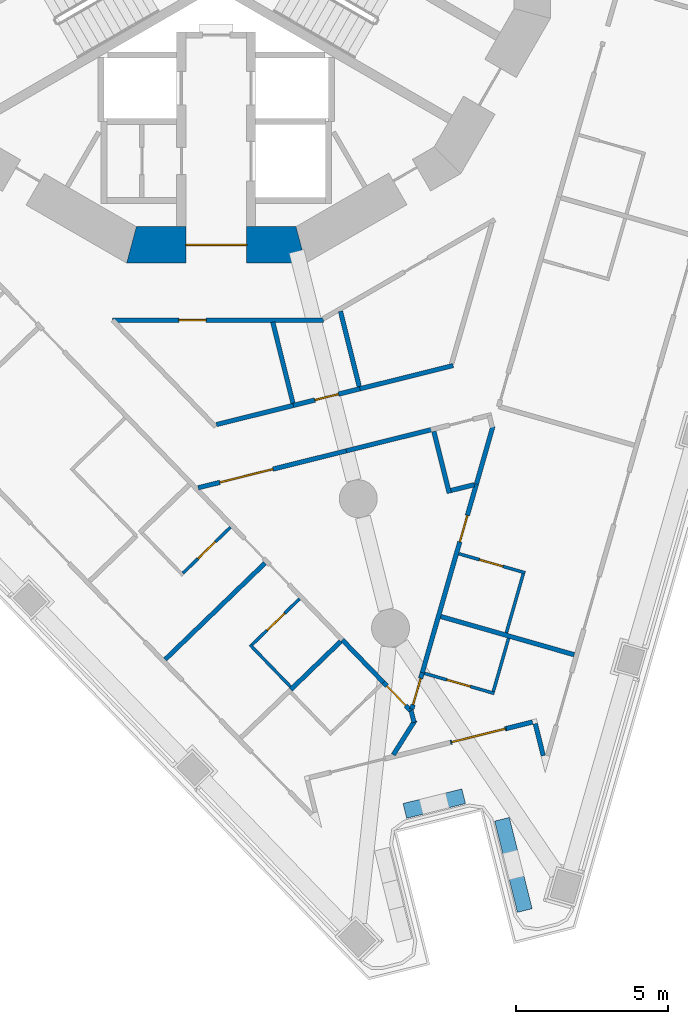
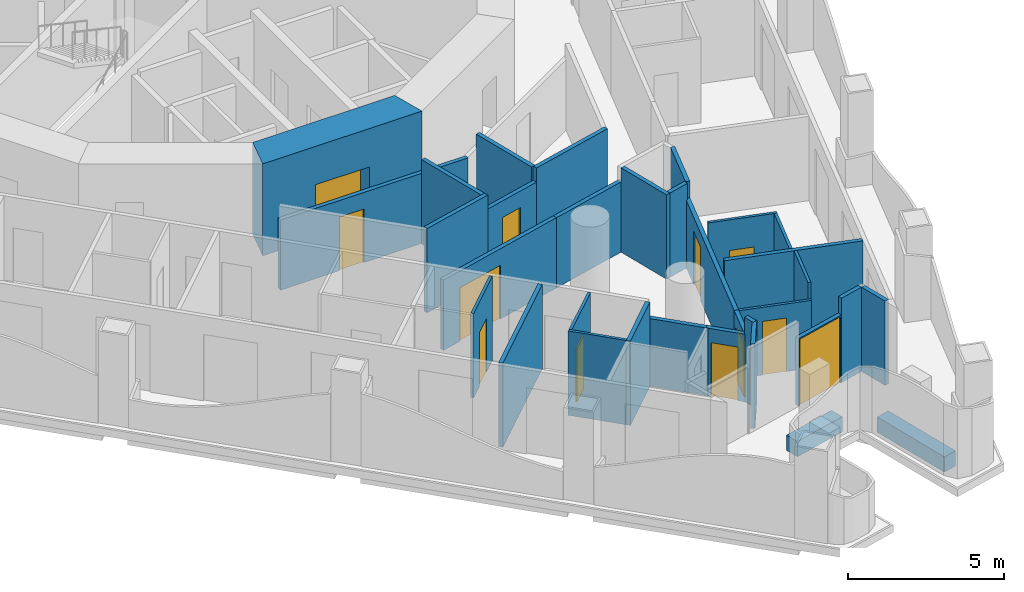
# One storey, part 4 of 20: 33 walls, 12 doors, 12 openings.
"""IFC4 building model written with IfcOpenShell, lengths in metres."""

from ifc_helpers import new_model, si_unit, direction, frame, frame_2d, origin, place, context, subcontext, project, spatial, polyline, rectangle, outline, extrude, material, layer, layer_set, type_object, element, fill, save


model = new_model("IFC4")

# Units and contexts
model_context = context("Model", 3, precision=1e-05, world=origin(), true_north=direction((0.0, 1.0)))
body_context = subcontext(model_context, "Body", "Model", "MODEL_VIEW")
ifc_project = project(units=[si_unit("LENGTHUNIT", "METRE"), si_unit("AREAUNIT", "SQUARE_METRE"), si_unit("VOLUMEUNIT", "CUBIC_METRE"), si_unit("PLANEANGLEUNIT", "RADIAN"), si_unit("MASSUNIT", "GRAM", prefix="KILO")], contexts=[model_context])

# Site, building, storey
site_placement = place(None, origin())
site = spatial("IfcSite", under=ifc_project, at=site_placement, CompositionType="ELEMENT")
building_placement = place(site_placement, origin())
building = spatial("IfcBuilding", under=site, at=building_placement, Name="Trine Commons Tower", CompositionType="ELEMENT")
storey_placement = place(building_placement, frame((0.0, 0.0, 108.89990234375)))
storey = spatial("IfcBuildingStorey", under=building, at=storey_placement, Name="L27", CompositionType="ELEMENT", Elevation=108.89990234375)

# Walls
ifc_material_1 = material(Name="Aluminium-framed insulated wall panel", Category="aluminium")
ifc_layer_1 = layer(ifc_material_1, 0.14990234375)
ifc_layer_set_1 = layer_set([ifc_layer_1], Name="Aluminium-framed insulated wall panel")
wall_type_1 = type_object("IfcWallType", Name="Glazed frame wall 150, EI 60", PredefinedType="SOLIDWALL", material=ifc_layer_set_1)
wall_1_placement = place(storey_placement, frame((90.810302734375, 35.118896484375, 0.0), z_axis=(0.0, 0.0, 1.0), x_axis=(-0.241937701072, 0.970291785393, 0.0)))
element("IfcWall", 1, at=wall_1_placement, inside=storey, type_object=wall_type_1, Name="Glazed frame wall R9", PredefinedType="SOLIDWALL", context=body_context, shape_type="SweptSolid", body=[
    extrude(outline(polyline([(0.1494140625, 0.074951171875), (0.1494140625, -0.074951171875), (1.235107421875, -0.074951171875), (1.235107421875, 0.074951171875), (0.1494140625, 0.074951171875)])), origin(), (0.0, 0.0, 1.0), 3.300048828125),
])
wall_2_placement = place(storey_placement, frame((90.527099609375, 36.398681640625, 0.0), z_axis=(0.0, 0.0, 1.0), x_axis=(-0.970285952705, -0.24196109188, 0.0)))
element("IfcWall", 2, at=wall_2_placement, inside=storey, type_object=wall_type_1, Name="Glazed frame wall P3.1", PredefinedType="SOLIDWALL", context=body_context, shape_type="SweptSolid", body=[
    extrude(outline(polyline([(0.110107421875, -0.074951171875), (1.0, -0.074951171875), (1.0, 0.074951171875), (0.110107421875, 0.074951171875), (0.110107421875, -0.074951171875)])), origin(), (0.0, 0.0, 1.0), 3.300048828125),
])

# Wall, opening, door
wall_3_placement = place(storey_placement, frame((89.556884765625, 36.15673828125, 0.0), z_axis=(0.0, 0.0, 1.0), x_axis=(-0.970285945114, -0.241961122321, 0.0)))
wall_3 = element("IfcWall", 3, at=wall_3_placement, inside=storey, type_object=wall_type_1, Name="Glazed frame wall P3.2", PredefinedType="SOLIDWALL", context=body_context, shape_type="SweptSolid", body=[
    extrude(outline(polyline([(0.0, -0.074951171875), (1.89990234375, -0.074951171875), (1.89990234375, 0.074951171875), (0.0, 0.074951171875), (0.0, -0.074951171875)])), origin(), (0.0, 0.0, 1.0), 2.650146484375),
])
opening_1_placement = place(wall_3_placement, frame((0.050048828125, 0.0, 0.0)))
opening_1 = element("IfcOpeningElement", 4, at=opening_1_placement, cuts=wall_3, Name="Opening BD-3P3-01", PredefinedType="OPENING", context=body_context, shape_type="SweptSolid", body=[
    extrude(rectangle(XDim=1.800048828125, YDim=2.60009765625, at=frame_2d((0.89990234375, 1.300048828125))), frame((0.0, 0.0849609375, 0.0), z_axis=(0.0, -1.0, 0.0), x_axis=(1.0, 0.0, 0.0)), (0.0, 0.0, 1.0), 0.169921875),
])
ifc_material_2 = material(Name="Anodised aluminium frame with double glazing", Category="aluminium")
door_type_1 = type_object("IfcDoorType", Name="Sliding loggia door 1800x2600", OperationType="SLIDING_TO_LEFT", PredefinedType="DOOR", material=ifc_material_2)
door_1_placement = place(opening_1_placement, origin())
door_1 = element("IfcDoor", 5, at=door_1_placement, inside=storey, type_object=door_type_1, Name="Loggia door P3 1", OperationType="SLIDING_TO_LEFT", OverallHeight=2.60009765625, OverallWidth=1.800048828125, PredefinedType="DOOR", context=body_context, shape_type="SweptSolid", body=[
    extrude(rectangle(XDim=1.800048828125, YDim=2.60009765625, at=frame_2d((0.89990234375, 1.300048828125))), frame((0.0, 0.02490234375, 0.0), z_axis=(0.0, -1.0, 0.0), x_axis=(1.0, 0.0, 0.0)), (0.0, 0.0, 1.0), 0.050048828125),
])
fill(opening_1, door_1)

# Walls
ifc_material_3 = material(Name="Planter trough, precast concrete C40/50", Category="concrete")
ifc_layer_2 = layer(ifc_material_3, 0.5)
ifc_layer_set_2 = layer_set([ifc_layer_2], Name="Planter trough, precast concrete C40/50")
wall_type_2 = type_object("IfcWallType", Name="Planter trough 500x600", PredefinedType="PARAPET", material=ifc_layer_set_2)
wall_4_placement = place(storey_placement, frame((90.16552734375, 30.160888671875, 0.0), z_axis=(0.0, 0.0, 1.0), x_axis=(-0.2419425832, 0.970290568044, 0.0)))
element("IfcWall", 6, at=wall_4_placement, inside=storey, type_object=wall_type_2, Name="Planter 7", PredefinedType="PARAPET", context=body_context, shape_type="SweptSolid", body=[
    extrude(rectangle(XDim=3.099853515625, YDim=0.5, at=frame_2d((1.5498046875, 0.0))), origin(), (0.0, 0.0, 1.0), 0.60009765625),
])
wall_5_placement = place(storey_placement, frame((88.15478515625, 33.92626953125, 0.0), z_axis=(0.0, 0.0, 1.0), x_axis=(-0.970285952705, -0.24196109188, 0.0)))
element("IfcWall", 7, at=wall_5_placement, inside=storey, type_object=wall_type_2, Name="Planter 8", PredefinedType="PARAPET", context=body_context, shape_type="SweptSolid", body=[
    extrude(rectangle(XDim=1.999755859375, YDim=0.5, at=frame_2d((1.0, 0.0))), origin(), (0.0, 0.0, 1.0), 0.60009765625),
])

# Wall, opening, door
ifc_material_4 = material(Name="Concrete C70/85", Category="concrete")
ifc_layer_3 = layer(ifc_material_4, 1.199951171875)
ifc_layer_set_3 = layer_set([ifc_layer_3], Name="Concrete C70/85")
wall_type_3 = type_object("IfcWallType", Name="RC shear wall 1200 mm, C70/85", PredefinedType="SHEAR", material=ifc_layer_set_3)
wall_6_placement = place(storey_placement, frame((77.049560546875, 52.08837890625, 0.0), z_axis=(0.0, 0.0, 1.0), x_axis=(1.0, 0.0, 0.0)))
wall_6 = element("IfcWall", 8, at=wall_6_placement, inside=storey, type_object=wall_type_3, Name="Core wall CWC-10 L27", PredefinedType="SHEAR", context=body_context, shape_type="SweptSolid", body=[
    extrude(outline(polyline([(0.0, -0.60009765625), (5.90087890625, -0.60009765625), (5.57958984375, 0.60009765625), (0.321533203125, 0.60009765625), (0.0, -0.60009765625)])), origin(), (0.0, 0.0, 1.0), 3.60009765625),
])
opening_2_placement = place(wall_6_placement, frame((1.950439453125, 0.0, 0.0)))
opening_2 = element("IfcOpeningElement", 9, at=opening_2_placement, cuts=wall_6, Name="Opening K06.08", PredefinedType="OPENING", context=body_context, shape_type="SweptSolid", body=[
    extrude(rectangle(XDim=2.0, YDim=2.10009765625, at=frame_2d((1.0, 1.050048828125))), frame((0.0, 0.60986328125, 0.0), z_axis=(0.0, -1.0, 0.0), x_axis=(1.0, 0.0, 0.0)), (0.0, 0.0, 1.0), 1.219970703125),
])
ifc_material_5 = material(Name="Steel door leaves, fire-rated", Category="steel")
door_type_2 = type_object("IfcDoorType", Name="Lobby door, double leaf 2000 x 2100, FD60", OperationType="DOUBLE_DOOR_SINGLE_SWING", PredefinedType="DOOR", material=ifc_material_5)
door_2_placement = place(opening_2_placement, origin())
door_2 = element("IfcDoor", 10, at=door_2_placement, inside=storey, type_object=door_type_2, Name="Lobby door, Service and firefighting lobby L27", OperationType="DOUBLE_DOOR_SINGLE_SWING", OverallHeight=2.10009765625, OverallWidth=2.0, PredefinedType="DOOR", context=body_context, shape_type="SweptSolid", body=[
    extrude(rectangle(XDim=2.0, YDim=2.10009765625, at=frame_2d((1.0, 1.050048828125))), frame((0.0, 0.02490234375, 0.0), z_axis=(0.0, -1.0, 0.0), x_axis=(1.0, 0.0, 0.0)), (0.0, 0.0, 1.0), 0.050048828125),
])
fill(opening_2, door_2)

ifc_material_6 = material(Name="Gypsum plasterboard on steel stud", Category="steel")
ifc_layer_4 = layer(ifc_material_6, 0.14990234375)
ifc_layer_set_4 = layer_set([ifc_layer_4], Name="Gypsum plasterboard on steel stud")
wall_type_4 = type_object("IfcWallType", Name="Unit and corridor wall 150 mm, EI 60", PredefinedType="PARTITIONING", material=ifc_layer_set_4)
wall_7_placement = place(storey_placement, frame((76.583984375, 49.613037109375, 0.0), z_axis=(0.0, 0.0, 1.0), x_axis=(1.0, 0.0, 0.0)))
wall_7 = element("IfcWall", 11, at=wall_7_placement, inside=storey, type_object=wall_type_4, Name="Partition 060", PredefinedType="PARTITIONING", context=body_context, shape_type="SweptSolid", body=[
    extrude(rectangle(XDim=6.944091796875, YDim=0.14990234375, at=frame_2d((3.47216796875, 0.0))), origin(), (0.0, 0.0, 1.0), 2.75),
])
opening_3_placement = place(wall_7_placement, frame((2.18359375, 0.0, 0.0)))
opening_3 = element("IfcOpeningElement", 12, at=opening_3_placement, cuts=wall_7, Name="Opening D-3C38", PredefinedType="OPENING", context=body_context, shape_type="SweptSolid", body=[
    extrude(rectangle(XDim=0.89990234375, YDim=2.10009765625, at=frame_2d((0.449951171875, 1.050048828125))), frame((0.0, 0.0849609375, 0.0), z_axis=(0.0, -1.0, 0.0), x_axis=(1.0, 0.0, 0.0)), (0.0, 0.0, 1.0), 0.169921875),
])
ifc_material_7 = material(Name="Timber fire door set", Category="wood")
door_type_3 = type_object("IfcDoorType", Name="Service door 900 x 2100, FD30S", OperationType="NOTDEFINED", PredefinedType="DOOR", material=ifc_material_7)
door_3_placement = place(opening_3_placement, frame((0.89990234375, 0.0, 0.0), z_axis=(0.0, 0.0, 1.0), x_axis=(-1.0, 0.0, 0.0)))
door_3 = element("IfcDoor", 13, at=door_3_placement, inside=storey, type_object=door_type_3, Name="Door D-3C38", OperationType="SINGLE_SWING_RIGHT", OverallHeight=2.10009765625, OverallWidth=0.89990234375, PredefinedType="DOOR", context=body_context, shape_type="SweptSolid", body=[
    extrude(rectangle(XDim=0.89990234375, YDim=2.10009765625, at=frame_2d((0.449951171875, 1.050048828125))), frame((0.0, 0.02490234375, 0.0), z_axis=(0.0, -1.0, 0.0), x_axis=(1.0, 0.0, 0.0)), (0.0, 0.0, 1.0), 0.050048828125),
])
fill(opening_3, door_3)

# Wall
wall_8_placement = place(storey_placement, frame((78.31982421875, 38.430908203125, 0.0), z_axis=(0.0, 0.0, 1.0), x_axis=(0.719360056376, 0.694637394106, 0.0)))
element("IfcWall", 14, at=wall_8_placement, inside=storey, type_object=wall_type_4, Name="Partition 066", PredefinedType="PARTITIONING", context=body_context, shape_type="SweptSolid", body=[
    extrude(rectangle(XDim=4.572265625, YDim=0.14990234375, at=frame_2d((2.2861328125, 0.0))), origin(), (0.0, 0.0, 1.0), 3.300048828125),
])

# Wall, opening, door
wall_9_placement = place(storey_placement, frame((79.40869140625, 44.087158203125, 0.0), z_axis=(0.0, 0.0, 1.0), x_axis=(0.970285120957, 0.241964427241, 0.0)))
wall_9 = element("IfcWall", 15, at=wall_9_placement, inside=storey, type_object=wall_type_4, Name="Partition 069", PredefinedType="PARTITIONING", context=body_context, shape_type="SweptSolid", body=[
    extrude(rectangle(XDim=5.02880859375, YDim=0.14990234375, at=frame_2d((2.514404296875, 0.0))), origin(), (0.0, 0.0, 1.0), 2.75),
])
opening_4_placement = place(wall_9_placement, frame((0.735595703125, 0.0, 0.0)))
opening_4 = element("IfcOpeningElement", 16, at=opening_4_placement, cuts=wall_9, Name="Opening D-3C02", PredefinedType="OPENING", context=body_context, shape_type="SweptSolid", body=[
    extrude(rectangle(XDim=1.800048828125, YDim=2.10009765625, at=frame_2d((0.89990234375, 1.050048828125))), frame((0.0, 0.0849609375, 0.0), z_axis=(0.0, -1.0, 0.0), x_axis=(1.0, 0.0, 0.0)), (0.0, 0.0, 1.0), 0.169921875),
])
door_type_4 = type_object("IfcDoorType", Name="Cluster entrance door 1800 x 2100, double leaf, FD30S", OperationType="DOUBLE_DOOR_DOUBLE_SWING", PredefinedType="DOOR", material=ifc_material_7)
door_4_placement = place(opening_4_placement, frame((1.800048828125, 0.0, 0.0), z_axis=(0.0, 0.0, 1.0), x_axis=(-1.0, 0.0, 0.0)))
door_4 = element("IfcDoor", 17, at=door_4_placement, inside=storey, type_object=door_type_4, Name="Door D-3C02", OperationType="DOUBLE_DOOR_DOUBLE_SWING", OverallHeight=2.10009765625, OverallWidth=1.800048828125, PredefinedType="DOOR", context=body_context, shape_type="SweptSolid", body=[
    extrude(rectangle(XDim=1.800048828125, YDim=2.10009765625, at=frame_2d((0.89990234375, 1.050048828125))), frame((0.0, 0.02490234375, 0.0), z_axis=(0.0, -1.0, 0.0), x_axis=(1.0, 0.0, 0.0)), (0.0, 0.0, 1.0), 0.050048828125),
])
fill(opening_4, door_4)

# Walls
wall_10_placement = place(storey_placement, frame((80.005859375, 46.168212890625, 0.0), z_axis=(0.0, 0.0, 1.0), x_axis=(0.970307222534, 0.241875781957, 0.0)))
element("IfcWall", 18, at=wall_10_placement, inside=storey, type_object=wall_type_4, Name="Partition 070", PredefinedType="PARTITIONING", context=body_context, shape_type="SweptSolid", body=[
    extrude(rectangle(XDim=2.698974609375, YDim=0.14990234375, at=frame_2d((1.349609375, 0.0))), origin(), (0.0, 0.0, 1.0), 3.300048828125),
])
wall_11_placement = place(storey_placement, frame((81.864990234375, 49.540283203125, 0.0), z_axis=(0.0, 0.0, 1.0), x_axis=(0.24199191412, -0.970278266015, 0.0)))
element("IfcWall", 19, at=wall_11_placement, inside=storey, type_object=wall_type_4, Name="Partition 077", PredefinedType="PARTITIONING", context=body_context, shape_type="SweptSolid", body=[
    extrude(rectangle(XDim=2.7470703125, YDim=0.14990234375, at=frame_2d((1.37353515625, 0.0))), origin(), (0.0, 0.0, 1.0), 3.300048828125),
])
wall_12_placement = place(storey_placement, frame((82.4619140625, 37.4423828125, 0.0), z_axis=(0.0, 0.0, 1.0), x_axis=(0.719213164188, 0.694789482116, 0.0)))
element("IfcWall", 20, at=wall_12_placement, inside=storey, type_object=wall_type_4, Name="Partition 079", PredefinedType="PARTITIONING", context=body_context, shape_type="SweptSolid", body=[
    extrude(rectangle(XDim=2.279052734375, YDim=0.14990234375, at=frame_2d((1.1396484375, 0.0))), origin(), (0.0, 0.0, 1.0), 3.300048828125),
])

# Wall, opening, door
wall_13_placement = place(storey_placement, frame((82.5439453125, 46.801025390625, 0.0), z_axis=(0.0, 0.0, 1.0), x_axis=(0.970237811433, 0.242154061015, 0.0)))
wall_13 = element("IfcWall", 21, at=wall_13_placement, inside=storey, type_object=wall_type_4, Name="Partition 080", PredefinedType="PARTITIONING", context=body_context, shape_type="SweptSolid", body=[
    extrude(rectangle(XDim=2.25830078125, YDim=0.14990234375, at=frame_2d((1.129150390625, 0.0))), origin(), (0.0, 0.0, 1.0), 2.75),
])
opening_5_placement = place(wall_13_placement, frame((0.72900390625, 0.0, 0.0)))
opening_5 = element("IfcOpeningElement", 22, at=opening_5_placement, cuts=wall_13, Name="Opening D-3C41", PredefinedType="OPENING", context=body_context, shape_type="SweptSolid", body=[
    extrude(rectangle(XDim=0.800048828125, YDim=2.10009765625, at=frame_2d((0.39990234375, 1.050048828125))), frame((0.0, 0.0849609375, 0.0), z_axis=(0.0, -1.0, 0.0), x_axis=(1.0, 0.0, 0.0)), (0.0, 0.0, 1.0), 0.169921875),
])
ifc_material_8 = material(Name="Painted timber", Category="wood")
door_type_5 = type_object("IfcDoorType", Name="Toilet door 800 x 2100, NOT RATED", OperationType="NOTDEFINED", PredefinedType="DOOR", material=ifc_material_8)
door_5_placement = place(opening_5_placement, origin())
door_5 = element("IfcDoor", 23, at=door_5_placement, inside=storey, type_object=door_type_5, Name="Door D-3C41", OperationType="SINGLE_SWING_RIGHT", OverallHeight=2.10009765625, OverallWidth=0.800048828125, PredefinedType="DOOR", context=body_context, shape_type="SweptSolid", body=[
    extrude(rectangle(XDim=0.800048828125, YDim=2.10009765625, at=frame_2d((0.39990234375, 1.050048828125))), frame((0.0, 0.02490234375, 0.0), z_axis=(0.0, -1.0, 0.0), x_axis=(1.0, 0.0, 0.0)), (0.0, 0.0, 1.0), 0.050048828125),
])
fill(opening_5, door_5)

# Walls
wall_14_placement = place(storey_placement, frame((84.09521484375, 49.900146484375, 0.0), z_axis=(0.0, 0.0, 1.0), x_axis=(0.241659013466, -0.970361232331, 0.0)))
element("IfcWall", 24, at=wall_14_placement, inside=storey, type_object=wall_type_4, Name="Partition 086", PredefinedType="PARTITIONING", context=body_context, shape_type="SweptSolid", body=[
    extrude(rectangle(XDim=2.555908203125, YDim=0.14990234375, at=frame_2d((1.27783203125, 0.0))), origin(), (0.0, 0.0, 1.0), 3.300048828125),
])
wall_15_placement = place(storey_placement, frame((84.155029296875, 39.077880859375, 0.0), z_axis=(0.0, 0.0, 1.0), x_axis=(0.694942316006, -0.719065488967, 0.0)))
element("IfcWall", 25, at=wall_15_placement, inside=storey, type_object=wall_type_4, Name="Partition 088", PredefinedType="PARTITIONING", context=body_context, shape_type="SweptSolid", body=[
    extrude(rectangle(XDim=2.00390625, YDim=0.14990234375, at=frame_2d((1.001953125, 0.0))), origin(), (0.0, 0.0, 1.0), 2.650146484375),
])
wall_16_placement = place(storey_placement, frame((84.2880859375, 45.303955078125, 0.0), z_axis=(0.0, 0.0, 1.0), x_axis=(0.970312264522, 0.241855554658, 0.0)))
element("IfcWall", 26, at=wall_16_placement, inside=storey, type_object=wall_type_4, Name="Partition 089", PredefinedType="PARTITIONING", context=body_context, shape_type="SweptSolid", body=[
    extrude(rectangle(XDim=2.956787109375, YDim=0.14990234375, at=frame_2d((1.478515625, 0.0))), origin(), (0.0, 0.0, 1.0), 2.75),
])
wall_17_placement = place(storey_placement, frame((84.72705078125, 47.345947265625, 0.0), z_axis=(0.0, 0.0, 1.0), x_axis=(0.970300600618, 0.241902344841, 0.0)))
element("IfcWall", 27, at=wall_17_placement, inside=storey, type_object=wall_type_4, Name="Partition 090", PredefinedType="PARTITIONING", context=body_context, shape_type="SweptSolid", body=[
    extrude(rectangle(XDim=3.175048828125, YDim=0.14990234375, at=frame_2d((1.58740234375, 0.0))), origin(), (0.0, 0.0, 1.0), 3.300048828125),
])

# Wall, opening, door
wall_18_placement = place(storey_placement, frame((85.508056640625, 37.677978515625, 0.0), z_axis=(0.0, 0.0, 1.0), x_axis=(0.694528581719, -0.719465113244, 0.0)))
wall_18 = element("IfcWall", 28, at=wall_18_placement, inside=storey, type_object=wall_type_4, Name="Partition 091", PredefinedType="PARTITIONING", context=body_context, shape_type="SweptSolid", body=[
    extrude(rectangle(XDim=1.32177734375, YDim=0.14990234375, at=frame_2d((0.660888671875, 0.0))), origin(), (0.0, 0.0, 1.0), 2.650146484375),
])
opening_6_placement = place(wall_18_placement, frame((0.165283203125, 0.0, 0.0)))
opening_6 = element("IfcOpeningElement", 29, at=opening_6_placement, cuts=wall_18, Name="Opening D-3C25", PredefinedType="OPENING", context=body_context, shape_type="SweptSolid", body=[
    extrude(rectangle(XDim=0.89990234375, YDim=2.10009765625, at=frame_2d((0.449951171875, 1.050048828125))), frame((0.0, 0.0849609375, 0.0), z_axis=(0.0, -1.0, 0.0), x_axis=(1.0, 0.0, 0.0)), (0.0, 0.0, 1.0), 0.169921875),
])
door_type_6 = type_object("IfcDoorType", Name="Bedroom door 900 x 2100, FD30S", OperationType="NOTDEFINED", PredefinedType="DOOR", material=ifc_material_7)
door_6_placement = place(opening_6_placement, frame((0.89990234375, 0.0, 0.0), z_axis=(0.0, 0.0, 1.0), x_axis=(-1.0, 0.0, 0.0)))
door_6 = element("IfcDoor", 30, at=door_6_placement, inside=storey, type_object=door_type_6, Name="Door D-3C25", OperationType="SINGLE_SWING_RIGHT", OverallHeight=2.10009765625, OverallWidth=0.89990234375, PredefinedType="DOOR", context=body_context, shape_type="SweptSolid", body=[
    extrude(rectangle(XDim=0.89990234375, YDim=2.10009765625, at=frame_2d((0.449951171875, 1.050048828125))), frame((0.0, 0.02490234375, 0.0), z_axis=(0.0, -1.0, 0.0), x_axis=(1.0, 0.0, 0.0)), (0.0, 0.0, 1.0), 0.050048828125),
])
fill(opening_6, door_6)

# Walls
wall_19_placement = place(storey_placement, frame((85.83447265625, 35.290771484375, 0.0), z_axis=(0.0, 0.0, 1.0), x_axis=(0.533700369754, 0.845673645873, 0.0)))
element("IfcWall", 31, at=wall_19_placement, inside=storey, type_object=wall_type_4, Name="Partition 092", PredefinedType="PARTITIONING", context=body_context, shape_type="SweptSolid", body=[
    extrude(rectangle(XDim=1.349853515625, YDim=0.14990234375, at=frame_2d((0.6748046875, 0.0))), origin(), (0.0, 0.0, 1.0), 3.300048828125),
])
wall_20_placement = place(storey_placement, frame((86.422119140625, 36.7421875, 0.0), z_axis=(0.0, 0.0, 1.0), x_axis=(0.241673946692, -0.970357513234, 0.0)))
element("IfcWall", 32, at=wall_20_placement, inside=storey, type_object=wall_type_4, Name="Partition 093", PredefinedType="PARTITIONING", context=body_context, shape_type="SweptSolid", body=[
    extrude(rectangle(XDim=0.400146484375, YDim=0.14990234375, at=frame_2d((0.2001953125, 0.0))), origin(), (0.0, 0.0, 1.0), 3.300048828125),
])

# Wall, opening, door
wall_21_placement = place(storey_placement, frame((86.446533203125, 36.799072265625, 0.0), z_axis=(0.0, 0.0, 1.0), x_axis=(0.275419104485, 0.961324251689, 0.0)))
wall_21 = element("IfcWall", 33, at=wall_21_placement, inside=storey, type_object=wall_type_4, Name="Partition 094", PredefinedType="PARTITIONING", context=body_context, shape_type="SweptSolid", body=[
    extrude(rectangle(XDim=1.247314453125, YDim=0.14990234375, at=frame_2d((0.62353515625, 0.0))), origin(), (0.0, 0.0, 1.0), 2.650146484375),
])
opening_7_placement = place(wall_21_placement, frame((0.14990234375, 0.0, 0.0)))
opening_7 = element("IfcOpeningElement", 34, at=opening_7_placement, cuts=wall_21, Name="Opening D-3C24", PredefinedType="OPENING", context=body_context, shape_type="SweptSolid", body=[
    extrude(rectangle(XDim=0.89990234375, YDim=2.10009765625, at=frame_2d((0.449951171875, 1.050048828125))), frame((0.0, 0.0849609375, 0.0), z_axis=(0.0, -1.0, 0.0), x_axis=(1.0, 0.0, 0.0)), (0.0, 0.0, 1.0), 0.169921875),
])
door_7_placement = place(opening_7_placement, frame((0.89990234375, 0.0, 0.0), z_axis=(0.0, 0.0, 1.0), x_axis=(-1.0, 0.0, 0.0)))
door_7 = element("IfcDoor", 35, at=door_7_placement, inside=storey, type_object=door_type_6, Name="Door D-3C24", OperationType="SINGLE_SWING_RIGHT", OverallHeight=2.10009765625, OverallWidth=0.89990234375, PredefinedType="DOOR", context=body_context, shape_type="SweptSolid", body=[
    extrude(rectangle(XDim=0.89990234375, YDim=2.10009765625, at=frame_2d((0.449951171875, 1.050048828125))), frame((0.0, 0.02490234375, 0.0), z_axis=(0.0, -1.0, 0.0), x_axis=(1.0, 0.0, 0.0)), (0.0, 0.0, 1.0), 0.050048828125),
])
fill(opening_7, door_7)

wall_22_placement = place(storey_placement, frame((86.774169921875, 37.94189453125, 0.0), z_axis=(0.0, 0.0, 1.0), x_axis=(0.27569065488, 0.961246411079, 0.0)))
wall_22 = element("IfcWall", 36, at=wall_22_placement, inside=storey, type_object=wall_type_4, Name="Partition 095", PredefinedType="PARTITIONING", context=body_context, shape_type="SweptSolid", body=[
    extrude(rectangle(XDim=6.517822265625, YDim=0.14990234375, at=frame_2d((3.2587890625, 0.0))), origin(), (0.0, 0.0, 1.0), 2.650146484375),
])
opening_8_placement = place(wall_22_placement, frame((4.542724609375, 0.0, 0.0)))
opening_8 = element("IfcOpeningElement", 37, at=opening_8_placement, cuts=wall_22, Name="Opening D-3C23", PredefinedType="OPENING", context=body_context, shape_type="SweptSolid", body=[
    extrude(rectangle(XDim=0.89990234375, YDim=2.10009765625, at=frame_2d((0.449951171875, 1.050048828125))), frame((0.0, 0.0849609375, 0.0), z_axis=(0.0, -1.0, 0.0), x_axis=(1.0, 0.0, 0.0)), (0.0, 0.0, 1.0), 0.169921875),
])
door_8_placement = place(opening_8_placement, frame((0.89990234375, 0.0, 0.0), z_axis=(0.0, 0.0, 1.0), x_axis=(-1.0, 0.0, 0.0)))
door_8 = element("IfcDoor", 38, at=door_8_placement, inside=storey, type_object=door_type_6, Name="Door D-3C23", OperationType="SINGLE_SWING_LEFT", OverallHeight=2.10009765625, OverallWidth=0.89990234375, PredefinedType="DOOR", context=body_context, shape_type="SweptSolid", body=[
    extrude(rectangle(XDim=0.89990234375, YDim=2.10009765625, at=frame_2d((0.449951171875, 1.050048828125))), frame((0.0, 0.02490234375, 0.0), z_axis=(0.0, -1.0, 0.0), x_axis=(1.0, 0.0, 0.0)), (0.0, 0.0, 1.0), 0.050048828125),
])
fill(opening_8, door_8)

# Walls
wall_23_placement = place(storey_placement, frame((87.171142578125, 45.9453125, 0.0), z_axis=(0.0, 0.0, 1.0), x_axis=(0.241879199479, -0.970306370617, 0.0)))
element("IfcWall", 39, at=wall_23_placement, inside=storey, type_object=wall_type_4, Name="Partition 099", PredefinedType="PARTITIONING", context=body_context, shape_type="SweptSolid", body=[
    extrude(rectangle(XDim=2.100341796875, YDim=0.14990234375, at=frame_2d((1.05029296875, 0.0))), origin(), (0.0, 0.0, 1.0), 3.300048828125),
])
wall_24_placement = place(storey_placement, frame((87.399169921875, 39.847412109375, 0.0), z_axis=(0.0, 0.0, 1.0), x_axis=(0.961251469363, -0.275673017626, 0.0)))
element("IfcWall", 40, at=wall_24_placement, inside=storey, type_object=wall_type_4, Name="Partition 100", PredefinedType="PARTITIONING", context=body_context, shape_type="SweptSolid", body=[
    extrude(rectangle(XDim=4.572509765625, YDim=0.14990234375, at=frame_2d((2.2861328125, 0.0))), origin(), (0.0, 0.0, 1.0), 3.300048828125),
])
wall_25_placement = place(storey_placement, frame((87.73388671875, 43.998291015625, 0.0), z_axis=(0.0, 0.0, 1.0), x_axis=(0.970342701531, 0.241733410155, 0.0)))
element("IfcWall", 41, at=wall_25_placement, inside=storey, type_object=wall_type_4, Name="Partition 101", PredefinedType="PARTITIONING", context=body_context, shape_type="SweptSolid", body=[
    extrude(rectangle(XDim=0.787841796875, YDim=0.14990234375, at=frame_2d((0.39404296875, 0.0))), origin(), (0.0, 0.0, 1.0), 3.300048828125),
])
wall_26_placement = place(storey_placement, frame((88.571044921875, 44.20703125, 0.0), z_axis=(0.0, 0.0, 1.0), x_axis=(0.275350032507, 0.961344038104, 0.0)))
element("IfcWall", 42, at=wall_26_placement, inside=storey, type_object=wall_type_4, Name="Partition 105", PredefinedType="PARTITIONING", context=body_context, shape_type="SweptSolid", body=[
    extrude(rectangle(XDim=1.99951171875, YDim=0.14990234375, at=frame_2d((0.999755859375, 0.0))), origin(), (0.0, 0.0, 1.0), 3.300048828125),
])

# Wall, opening, door
ifc_layer_5 = layer(ifc_material_6, 0.10009765625)
ifc_layer_set_5 = layer_set([ifc_layer_5], Name="Gypsum plasterboard on steel stud")
wall_type_5 = type_object("IfcWallType", Name="Unit partition 100 mm, no rating", PredefinedType="PARTITIONING", material=ifc_layer_set_5)
wall_27_placement = place(storey_placement, frame((78.906005859375, 41.274658203125, 0.0), z_axis=(0.0, 0.0, 1.0), x_axis=(0.719343447932, 0.694654593245, 0.0)))
wall_27 = element("IfcWall", 43, at=wall_27_placement, inside=storey, type_object=wall_type_5, Name="Partition 068", PredefinedType="PARTITIONING", context=body_context, shape_type="SweptSolid", body=[
    extrude(rectangle(XDim=2.175537109375, YDim=0.10009765625, at=frame_2d((1.087890625, 0.0))), origin(), (0.0, 0.0, 1.0), 3.300048828125),
])
opening_9_placement = place(wall_27_placement, frame((0.687744140625, 0.0, 0.0)))
opening_9 = element("IfcOpeningElement", 44, at=opening_9_placement, cuts=wall_27, Name="Opening D-3C62", PredefinedType="OPENING", context=body_context, shape_type="SweptSolid", body=[
    extrude(rectangle(XDim=0.800048828125, YDim=2.10009765625, at=frame_2d((0.39990234375, 1.050048828125))), frame((0.0, 0.06005859375, 0.0), z_axis=(0.0, -1.0, 0.0), x_axis=(1.0, 0.0, 0.0)), (0.0, 0.0, 1.0), 0.1201171875),
])
door_type_7 = type_object("IfcDoorType", Name="Internal door 800 x 2100, NOT RATED", OperationType="NOTDEFINED", PredefinedType="DOOR", material=ifc_material_8)
door_9_placement = place(opening_9_placement, frame((0.800048828125, 0.0, 0.0), z_axis=(0.0, 0.0, 1.0), x_axis=(-1.0, 0.0, 0.0)))
door_9 = element("IfcDoor", 45, at=door_9_placement, inside=storey, type_object=door_type_7, Name="Door D-3C62", OperationType="SINGLE_SWING_RIGHT", OverallHeight=2.10009765625, OverallWidth=0.800048828125, PredefinedType="DOOR", context=body_context, shape_type="SweptSolid", body=[
    extrude(rectangle(XDim=0.800048828125, YDim=2.10009765625, at=frame_2d((0.39990234375, 1.050048828125))), frame((0.0, 0.02490234375, 0.0), z_axis=(0.0, -1.0, 0.0), x_axis=(1.0, 0.0, 0.0)), (0.0, 0.0, 1.0), 0.050048828125),
])
fill(opening_9, door_9)

# Wall
wall_28_placement = place(storey_placement, frame((81.111328125, 38.9189453125, 0.0), z_axis=(0.0, 0.0, 1.0), x_axis=(0.694700856484, -0.719298769636, 0.0)))
element("IfcWall", 46, at=wall_28_placement, inside=storey, type_object=wall_type_5, Name="Partition 073", PredefinedType="PARTITIONING", context=body_context, shape_type="SweptSolid", body=[
    extrude(rectangle(XDim=1.925537109375, YDim=0.10009765625, at=frame_2d((0.962890625, 0.0))), origin(), (0.0, 0.0, 1.0), 3.300048828125),
])

# Wall, opening, door
wall_29_placement = place(storey_placement, frame((81.181884765625, 38.917724609375, 0.0), z_axis=(0.0, 0.0, 1.0), x_axis=(0.719397593573, 0.69459851883, 0.0)))
wall_29 = element("IfcWall", 47, at=wall_29_placement, inside=storey, type_object=wall_type_5, Name="Partition 074", PredefinedType="PARTITIONING", context=body_context, shape_type="SweptSolid", body=[
    extrude(rectangle(XDim=2.17578125, YDim=0.10009765625, at=frame_2d((1.087890625, 0.0))), origin(), (0.0, 0.0, 1.0), 3.300048828125),
])
opening_10_placement = place(wall_29_placement, frame((0.687744140625, 0.0, 0.0)))
opening_10 = element("IfcOpeningElement", 48, at=opening_10_placement, cuts=wall_29, Name="Opening D-3C61", PredefinedType="OPENING", context=body_context, shape_type="SweptSolid", body=[
    extrude(rectangle(XDim=0.800048828125, YDim=2.10009765625, at=frame_2d((0.39990234375, 1.050048828125))), frame((0.0, 0.06005859375, 0.0), z_axis=(0.0, -1.0, 0.0), x_axis=(1.0, 0.0, 0.0)), (0.0, 0.0, 1.0), 0.1201171875),
])
door_10_placement = place(opening_10_placement, origin())
door_10 = element("IfcDoor", 49, at=door_10_placement, inside=storey, type_object=door_type_7, Name="Door D-3C61", OperationType="SINGLE_SWING_LEFT", OverallHeight=2.10009765625, OverallWidth=0.800048828125, PredefinedType="DOOR", context=body_context, shape_type="SweptSolid", body=[
    extrude(rectangle(XDim=0.800048828125, YDim=2.10009765625, at=frame_2d((0.39990234375, 1.050048828125))), frame((0.0, 0.02490234375, 0.0), z_axis=(0.0, -1.0, 0.0), x_axis=(1.0, 0.0, 0.0)), (0.0, 0.0, 1.0), 0.050048828125),
])
fill(opening_10, door_10)

wall_30_placement = place(storey_placement, frame((86.861083984375, 37.973388671875, 0.0), z_axis=(0.0, 0.0, 1.0), x_axis=(0.961254192868, -0.275663520789, 0.0)))
wall_30 = element("IfcWall", 50, at=wall_30_placement, inside=storey, type_object=wall_type_5, Name="Partition 096", PredefinedType="PARTITIONING", context=body_context, shape_type="SweptSolid", body=[
    extrude(rectangle(XDim=2.394775390625, YDim=0.10009765625, at=frame_2d((1.197265625, 0.0))), origin(), (0.0, 0.0, 1.0), 2.650146484375),
])
opening_11_placement = place(wall_30_placement, frame((0.772216796875, 0.0, 0.0)))
opening_11 = element("IfcOpeningElement", 51, at=opening_11_placement, cuts=wall_30, Name="Opening D-3C59", PredefinedType="OPENING", context=body_context, shape_type="SweptSolid", body=[
    extrude(rectangle(XDim=0.800048828125, YDim=2.10009765625, at=frame_2d((0.39990234375, 1.050048828125))), frame((0.0, 0.06005859375, 0.0), z_axis=(0.0, -1.0, 0.0), x_axis=(1.0, 0.0, 0.0)), (0.0, 0.0, 1.0), 0.1201171875),
])
door_11_placement = place(opening_11_placement, frame((0.800048828125, 0.0, 0.0), z_axis=(0.0, 0.0, 1.0), x_axis=(-1.0, 0.0, 0.0)))
door_11 = element("IfcDoor", 52, at=door_11_placement, inside=storey, type_object=door_type_7, Name="Door D-3C59", OperationType="SINGLE_SWING_RIGHT", OverallHeight=2.10009765625, OverallWidth=0.800048828125, PredefinedType="DOOR", context=body_context, shape_type="SweptSolid", body=[
    extrude(rectangle(XDim=0.800048828125, YDim=2.10009765625, at=frame_2d((0.39990234375, 1.050048828125))), frame((0.0, 0.02490234375, 0.0), z_axis=(0.0, -1.0, 0.0), x_axis=(1.0, 0.0, 0.0)), (0.0, 0.0, 1.0), 0.050048828125),
])
fill(opening_11, door_11)

wall_31_placement = place(storey_placement, frame((87.9912109375, 41.914306640625, 0.0), z_axis=(0.0, 0.0, 1.0), x_axis=(0.961244019441, -0.27569899363, 0.0)))
wall_31 = element("IfcWall", 53, at=wall_31_placement, inside=storey, type_object=wall_type_5, Name="Partition 104", PredefinedType="PARTITIONING", context=body_context, shape_type="SweptSolid", body=[
    extrude(rectangle(XDim=2.27490234375, YDim=0.10009765625, at=frame_2d((1.137451171875, 0.0))), origin(), (0.0, 0.0, 1.0), 3.300048828125),
])
opening_12_placement = place(wall_31_placement, frame((0.71240234375, 0.0, 0.0)))
opening_12 = element("IfcOpeningElement", 54, at=opening_12_placement, cuts=wall_31, Name="Opening D-3C58", PredefinedType="OPENING", context=body_context, shape_type="SweptSolid", body=[
    extrude(rectangle(XDim=0.800048828125, YDim=2.10009765625, at=frame_2d((0.39990234375, 1.050048828125))), frame((0.0, 0.06005859375, 0.0), z_axis=(0.0, -1.0, 0.0), x_axis=(1.0, 0.0, 0.0)), (0.0, 0.0, 1.0), 0.1201171875),
])
door_12_placement = place(opening_12_placement, origin())
door_12 = element("IfcDoor", 55, at=door_12_placement, inside=storey, type_object=door_type_7, Name="Door D-3C58", OperationType="SINGLE_SWING_LEFT", OverallHeight=2.10009765625, OverallWidth=0.800048828125, PredefinedType="DOOR", context=body_context, shape_type="SweptSolid", body=[
    extrude(rectangle(XDim=0.800048828125, YDim=2.10009765625, at=frame_2d((0.39990234375, 1.050048828125))), frame((0.0, 0.02490234375, 0.0), z_axis=(0.0, -1.0, 0.0), x_axis=(1.0, 0.0, 0.0)), (0.0, 0.0, 1.0), 0.050048828125),
])
fill(opening_12, door_12)

# Walls
wall_32_placement = place(storey_placement, frame((89.12890625, 37.375, 0.0), z_axis=(0.0, 0.0, 1.0), x_axis=(0.27588722246, 0.961190012684, 0.0)))
element("IfcWall", 56, at=wall_32_placement, inside=storey, type_object=wall_type_5, Name="Partition 109", PredefinedType="PARTITIONING", context=body_context, shape_type="SweptSolid", body=[
    extrude(rectangle(XDim=1.82470703125, YDim=0.10009765625, at=frame_2d((0.912353515625, 0.0))), origin(), (0.0, 0.0, 1.0), 3.300048828125),
])
wall_33_placement = place(storey_placement, frame((89.55859375, 39.30615234375, 0.0), z_axis=(0.0, 0.0, 1.0), x_axis=(0.275357985943, 0.96134176003, 0.0)))
element("IfcWall", 57, at=wall_33_placement, inside=storey, type_object=wall_type_5, Name="Partition 115", PredefinedType="PARTITIONING", context=body_context, shape_type="SweptSolid", body=[
    extrude(rectangle(XDim=2.025146484375, YDim=0.10009765625, at=frame_2d((1.0126953125, 0.0))), origin(), (0.0, 0.0, 1.0), 3.300048828125),
])

save(model, "model.ifc")
